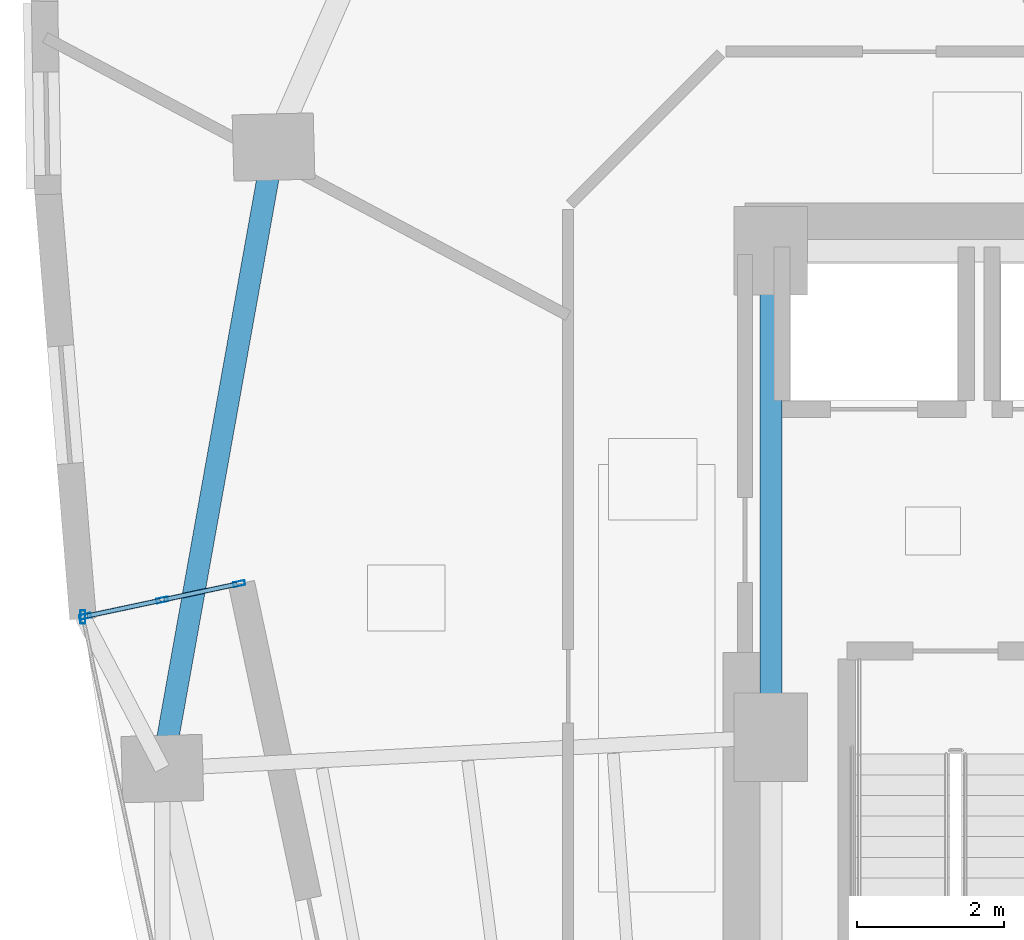
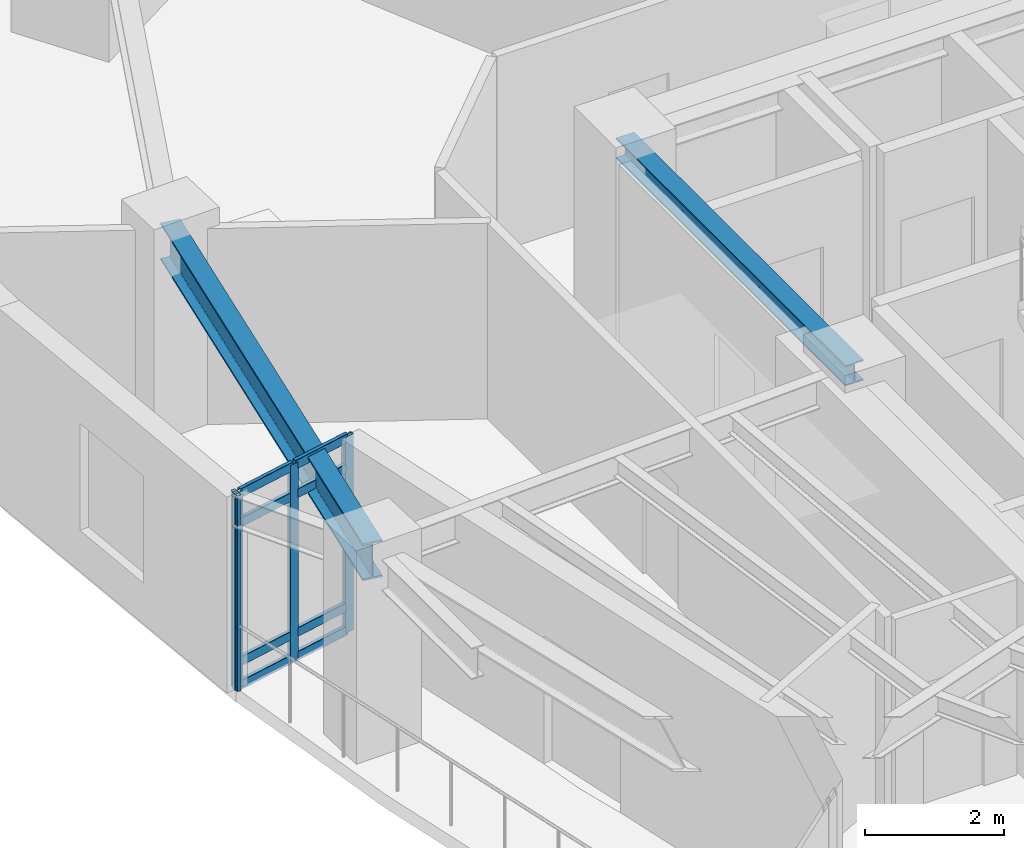
# One storey, part 4 of 12: 12 members, 2 beams, 1 element without a shape of its own.
"""IFC4 building model written with IfcOpenShell, lengths in metres."""

from ifc_helpers import new_model, si_unit, direction, frame, origin, origin_2d, place, context, subcontext, project, spatial, hollow_rectangle, i_section, extrude, material, layer, layer_set, material_profile, profile_set, type_object, element, aggregate, save


model = new_model("IFC4")

# Units and contexts
model_context = context("Model", 3, precision=1e-05, world=origin(), true_north=direction((0.0, 1.0)))
body_context = subcontext(model_context, "Body", "Model", "MODEL_VIEW")
ifc_project = project(units=[si_unit("LENGTHUNIT", "METRE"), si_unit("AREAUNIT", "SQUARE_METRE"), si_unit("VOLUMEUNIT", "CUBIC_METRE"), si_unit("PLANEANGLEUNIT", "RADIAN"), si_unit("MASSUNIT", "GRAM", prefix="KILO")], contexts=[model_context])

# Site, building, storey
site_placement = place(None, origin())
site = spatial("IfcSite", under=ifc_project, at=site_placement, CompositionType="ELEMENT")
building_placement = place(site_placement, origin())
building = spatial("IfcBuilding", under=site, at=building_placement, Name="Ndelora Gate Hotel", CompositionType="ELEMENT")
storey_placement = place(building_placement, frame((0.0, 0.0, 164.75)))
storey = spatial("IfcBuildingStorey", under=building, at=storey_placement, Name="L41", CompositionType="ELEMENT", Elevation=164.75)

# Beams
ifc_material_1 = material(Name="Steel S355", Category="steel")
ifc_material_profile_1 = material_profile(ifc_material_1, i_section(OverallWidth=0.300048828125, OverallDepth=0.360107421875, WebThickness=0.012451171875, FlangeThickness=0.0224609375, FilletRadius=0.027099609375, at=origin_2d()), Name="HEB 360")
ifc_profile_set_1 = profile_set([ifc_material_profile_1], Name="Steel S355")
beam_type_1 = type_object("IfcBeamType", Name="BM-CORE-360", PredefinedType="BEAM", material=ifc_profile_set_1)
beam_1_placement = place(storey_placement, frame((-8.0, 0.0, 3.260009765625), z_axis=(0.0, 1.0, 0.0), x_axis=(-1.0, 0.0, 0.0)))
element("IfcBeam", 1, at=beam_1_placement, inside=storey, type_object=beam_type_1, Name="L41 Core Tie Girder CC8-CC7", PredefinedType="BEAM", context=body_context, shape_type="SweptSolid", body=[
    extrude(i_section(OverallWidth=0.300048828125, OverallDepth=0.360107421875, WebThickness=0.012451171875, FlangeThickness=0.0224609375, FilletRadius=0.027099609375, at=origin_2d()), origin(), (0.0, 0.0, 1.0), 6.60009765625),
])
ifc_material_profile_2 = material_profile(ifc_material_1, i_section(OverallWidth=0.300048828125, OverallDepth=0.64990234375, WebThickness=0.01611328125, FlangeThickness=0.031005859375, FilletRadius=0.027099609375, at=origin_2d()), Name="HEB 650")
ifc_profile_set_2 = profile_set([ifc_material_profile_2], Name="Steel S355")
beam_type_2 = type_object("IfcBeamType", Name="BM-RING-650", PredefinedType="SPANDREL", material=ifc_profile_set_2)
beam_2_placement = place(storey_placement, frame((-14.74658203125, 8.006591796875, 3.114990234375), z_axis=(-0.176130938817, -0.984366746894, 0.0), x_axis=(0.984366746894, -0.176130938817, 0.0)))
element("IfcBeam", 2, at=beam_2_placement, inside=storey, type_object=beam_type_2, Name="L41 Perimeter Spandrel Girder 2", PredefinedType="SPANDREL", context=body_context, shape_type="SweptSolid", body=[
    extrude(i_section(OverallWidth=0.300048828125, OverallDepth=0.64990234375, WebThickness=0.01611328125, FlangeThickness=0.031005859375, FilletRadius=0.027099609375, at=origin_2d()), origin(), (0.0, 0.0, 1.0), 8.56640625),
])

# Curtain wall, members
ifc_material_2 = material(Name="Bronze Anodised Unitised Aluminium and Low-E Glass", Category="aluminium")
ifc_layer = layer(ifc_material_2, 0.199951171875)
ifc_layer_set = layer_set([ifc_layer], Name="Bronze Anodised Unitised Aluminium and Low-E Glass")
curtain_wall_type = type_object("IfcCurtainWallType", Name="CW-SYS-3", PredefinedType="NOTDEFINED", material=ifc_layer_set)
curtain_wall_placement = place(storey_placement, origin())
curtain_wall = element("IfcCurtainWall", 3, at=curtain_wall_placement, inside=storey, type_object=curtain_wall_type, Name="L41 Sky-Garden Loggia Side Curtain Wall CW3-1", PredefinedType="NOTDEFINED")
ifc_material_3 = material(Name="Bronze Anodised Aluminium 6063-T6", Category="aluminium")
ifc_material_profile_3 = material_profile(ifc_material_3, hollow_rectangle(XDim=0.06494140625, YDim=0.159912109375, WallThickness=0.00390625, InnerFilletRadius=0.00390625, OuterFilletRadius=0.008056640625, at=origin_2d()), Name="ALU 160x65x4")
ifc_profile_set_3 = profile_set([ifc_material_profile_3], Name="Bronze Anodised Aluminium 6063-T6")
member_type_1 = type_object("IfcMemberType", Name="MB-CW-MUL150", PredefinedType="MULLION", material=ifc_profile_set_3)
member_1_placement = place(storey_placement, frame((-15.21337890625, 2.08251953125, -0.00390625), z_axis=(0.0, 0.0, 1.0), x_axis=(0.20790224486, -0.978149608487, 0.0)))
member_1 = element("IfcMember", 4, at=member_1_placement, type_object=member_type_1, Name="CW3 mullion 1", PredefinedType="MULLION", context=body_context, shape_type="SweptSolid", body=[
    extrude(hollow_rectangle(XDim=0.06494140625, YDim=0.159912109375, WallThickness=0.00390625, InnerFilletRadius=0.00390625, OuterFilletRadius=0.008056640625, at=origin_2d()), origin(), (0.0, 0.0, 1.0), 3.447998046875),
])
member_2_placement = place(storey_placement, frame((-16.2578125, 1.860595703125, -0.00390625), z_axis=(0.0, 0.0, 1.0), x_axis=(0.20790224486, -0.978149608487, 0.0)))
member_2 = element("IfcMember", 5, at=member_2_placement, type_object=member_type_1, Name="CW3 mullion 2", PredefinedType="MULLION", context=body_context, shape_type="SweptSolid", body=[
    extrude(hollow_rectangle(XDim=0.06494140625, YDim=0.159912109375, WallThickness=0.00390625, InnerFilletRadius=0.00390625, OuterFilletRadius=0.008056640625, at=origin_2d()), origin(), (0.0, 0.0, 1.0), 3.447998046875),
])
member_3_placement = place(storey_placement, frame((-17.302001953125, 1.638671875, -0.00390625), z_axis=(0.0, 0.0, 1.0), x_axis=(0.20790224486, -0.978149608487, 0.0)))
member_3 = element("IfcMember", 6, at=member_3_placement, type_object=member_type_1, Name="CW3 mullion 3", PredefinedType="MULLION", context=body_context, shape_type="SweptSolid", body=[
    extrude(hollow_rectangle(XDim=0.06494140625, YDim=0.159912109375, WallThickness=0.00390625, InnerFilletRadius=0.00390625, OuterFilletRadius=0.008056640625, at=origin_2d()), origin(), (0.0, 0.0, 1.0), 3.447998046875),
])
ifc_material_profile_4 = material_profile(ifc_material_3, hollow_rectangle(XDim=0.070068359375, YDim=0.179931640625, WallThickness=0.0048828125, InnerFilletRadius=0.0048828125, OuterFilletRadius=0.010009765625, at=origin_2d()), Name="ALU 180x70x5")
ifc_profile_set_4 = profile_set([ifc_material_profile_4], Name="Bronze Anodised Aluminium 6063-T6")
member_type_2 = type_object("IfcMemberType", Name="MB-CW-MUL180", PredefinedType="MULLION", material=ifc_profile_set_4)
member_4_placement = place(storey_placement, frame((-17.333740234375, 1.6318359375, 0.0), z_axis=(0.0, 0.0, 1.0), x_axis=(1.0, 0.0, 0.0)))
member_4 = element("IfcMember", 7, at=member_4_placement, type_object=member_type_2, Name="L41 Sky-Garden Loggia Corner Mullion Post 1", PredefinedType="MULLION", context=body_context, shape_type="SweptSolid", body=[
    extrude(hollow_rectangle(XDim=0.070068359375, YDim=0.179931640625, WallThickness=0.0048828125, InnerFilletRadius=0.0048828125, OuterFilletRadius=0.010009765625, at=origin_2d()), origin(), (0.0, 0.0, 1.0), 3.43994140625),
])
ifc_material_profile_5 = material_profile(ifc_material_3, hollow_rectangle(XDim=0.06494140625, YDim=0.159912109375, WallThickness=0.00390625, InnerFilletRadius=0.00390625, OuterFilletRadius=0.008056640625, at=origin_2d()), Name="ALU 160x65x4")
ifc_profile_set_5 = profile_set([ifc_material_profile_5], Name="Bronze Anodised Aluminium 6063-T6")
member_type_3 = type_object("IfcMemberType", Name="MB-CW-TRN150", PredefinedType="USERDEFINED", material=ifc_profile_set_5)
member_5_placement = place(storey_placement, frame((-15.239501953125, 2.076904296875, 0.032470703125), z_axis=(-0.97813927235, -0.207950868925, 0.0), x_axis=(0.207950868925, -0.97813927235, 0.0)))
member_5 = element("IfcMember", 8, at=member_5_placement, type_object=member_type_3, Name="CW3 transom 1.1", ObjectType="TRANSOM", PredefinedType="USERDEFINED", context=body_context, shape_type="SweptSolid", body=[
    extrude(hollow_rectangle(XDim=0.06494140625, YDim=0.159912109375, WallThickness=0.00390625, InnerFilletRadius=0.00390625, OuterFilletRadius=0.008056640625, at=origin_2d()), origin(), (0.0, 0.0, 1.0), 1.014404296875),
])
member_6_placement = place(storey_placement, frame((-15.239501953125, 2.076904296875, 0.449951171875), z_axis=(-0.97813927235, -0.207950868925, 0.0), x_axis=(0.207950868925, -0.97813927235, 0.0)))
member_6 = element("IfcMember", 9, at=member_6_placement, type_object=member_type_3, Name="CW3 transom 1.2", ObjectType="TRANSOM", PredefinedType="USERDEFINED", context=body_context, shape_type="SweptSolid", body=[
    extrude(hollow_rectangle(XDim=0.06494140625, YDim=0.159912109375, WallThickness=0.00390625, InnerFilletRadius=0.00390625, OuterFilletRadius=0.008056640625, at=origin_2d()), origin(), (0.0, 0.0, 1.0), 1.014404296875),
])
member_7_placement = place(storey_placement, frame((-15.239501953125, 2.076904296875, 2.889892578125), z_axis=(-0.97813927235, -0.207950868925, 0.0), x_axis=(0.207950868925, -0.97813927235, 0.0)))
member_7 = element("IfcMember", 10, at=member_7_placement, type_object=member_type_3, Name="CW3 transom 1.3", ObjectType="TRANSOM", PredefinedType="USERDEFINED", context=body_context, shape_type="SweptSolid", body=[
    extrude(hollow_rectangle(XDim=0.06494140625, YDim=0.159912109375, WallThickness=0.00390625, InnerFilletRadius=0.00390625, OuterFilletRadius=0.008056640625, at=origin_2d()), origin(), (0.0, 0.0, 1.0), 1.014404296875),
])
member_8_placement = place(storey_placement, frame((-15.239501953125, 2.076904296875, 3.407470703125), z_axis=(-0.97813927235, -0.207950868925, 0.0), x_axis=(0.207950868925, -0.97813927235, 0.0)))
member_8 = element("IfcMember", 11, at=member_8_placement, type_object=member_type_3, Name="CW3 transom 1.4", ObjectType="TRANSOM", PredefinedType="USERDEFINED", context=body_context, shape_type="SweptSolid", body=[
    extrude(hollow_rectangle(XDim=0.06494140625, YDim=0.159912109375, WallThickness=0.00390625, InnerFilletRadius=0.00390625, OuterFilletRadius=0.008056640625, at=origin_2d()), origin(), (0.0, 0.0, 1.0), 1.014404296875),
])
member_9_placement = place(storey_placement, frame((-16.28369140625, 1.85498046875, 0.032470703125), z_axis=(-0.97813927235, -0.207950868925, 0.0), x_axis=(0.207950868925, -0.97813927235, 0.0)))
member_9 = element("IfcMember", 12, at=member_9_placement, type_object=member_type_3, Name="CW3 transom 2.1", ObjectType="TRANSOM", PredefinedType="USERDEFINED", context=body_context, shape_type="SweptSolid", body=[
    extrude(hollow_rectangle(XDim=0.06494140625, YDim=0.159912109375, WallThickness=0.00390625, InnerFilletRadius=0.00390625, OuterFilletRadius=0.008056640625, at=origin_2d()), origin(), (0.0, 0.0, 1.0), 1.014404296875),
])
member_10_placement = place(storey_placement, frame((-16.28369140625, 1.85498046875, 0.449951171875), z_axis=(-0.97813927235, -0.207950868925, 0.0), x_axis=(0.207950868925, -0.97813927235, 0.0)))
member_10 = element("IfcMember", 13, at=member_10_placement, type_object=member_type_3, Name="CW3 transom 2.2", ObjectType="TRANSOM", PredefinedType="USERDEFINED", context=body_context, shape_type="SweptSolid", body=[
    extrude(hollow_rectangle(XDim=0.06494140625, YDim=0.159912109375, WallThickness=0.00390625, InnerFilletRadius=0.00390625, OuterFilletRadius=0.008056640625, at=origin_2d()), origin(), (0.0, 0.0, 1.0), 1.014404296875),
])
member_11_placement = place(storey_placement, frame((-16.28369140625, 1.85498046875, 2.889892578125), z_axis=(-0.97813927235, -0.207950868925, 0.0), x_axis=(0.207950868925, -0.97813927235, 0.0)))
member_11 = element("IfcMember", 14, at=member_11_placement, type_object=member_type_3, Name="CW3 transom 2.3", ObjectType="TRANSOM", PredefinedType="USERDEFINED", context=body_context, shape_type="SweptSolid", body=[
    extrude(hollow_rectangle(XDim=0.06494140625, YDim=0.159912109375, WallThickness=0.00390625, InnerFilletRadius=0.00390625, OuterFilletRadius=0.008056640625, at=origin_2d()), origin(), (0.0, 0.0, 1.0), 1.014404296875),
])
member_12_placement = place(storey_placement, frame((-16.28369140625, 1.85498046875, 3.407470703125), z_axis=(-0.97813927235, -0.207950868925, 0.0), x_axis=(0.207950868925, -0.97813927235, 0.0)))
member_12 = element("IfcMember", 15, at=member_12_placement, type_object=member_type_3, Name="CW3 transom 2.4", ObjectType="TRANSOM", PredefinedType="USERDEFINED", context=body_context, shape_type="SweptSolid", body=[
    extrude(hollow_rectangle(XDim=0.06494140625, YDim=0.159912109375, WallThickness=0.00390625, InnerFilletRadius=0.00390625, OuterFilletRadius=0.008056640625, at=origin_2d()), origin(), (0.0, 0.0, 1.0), 1.014404296875),
])
aggregate(curtain_wall, [member_1, member_2, member_3, member_5, member_6, member_7, member_8, member_9, member_10, member_11, member_12, member_4])

save(model, "model.ifc")
